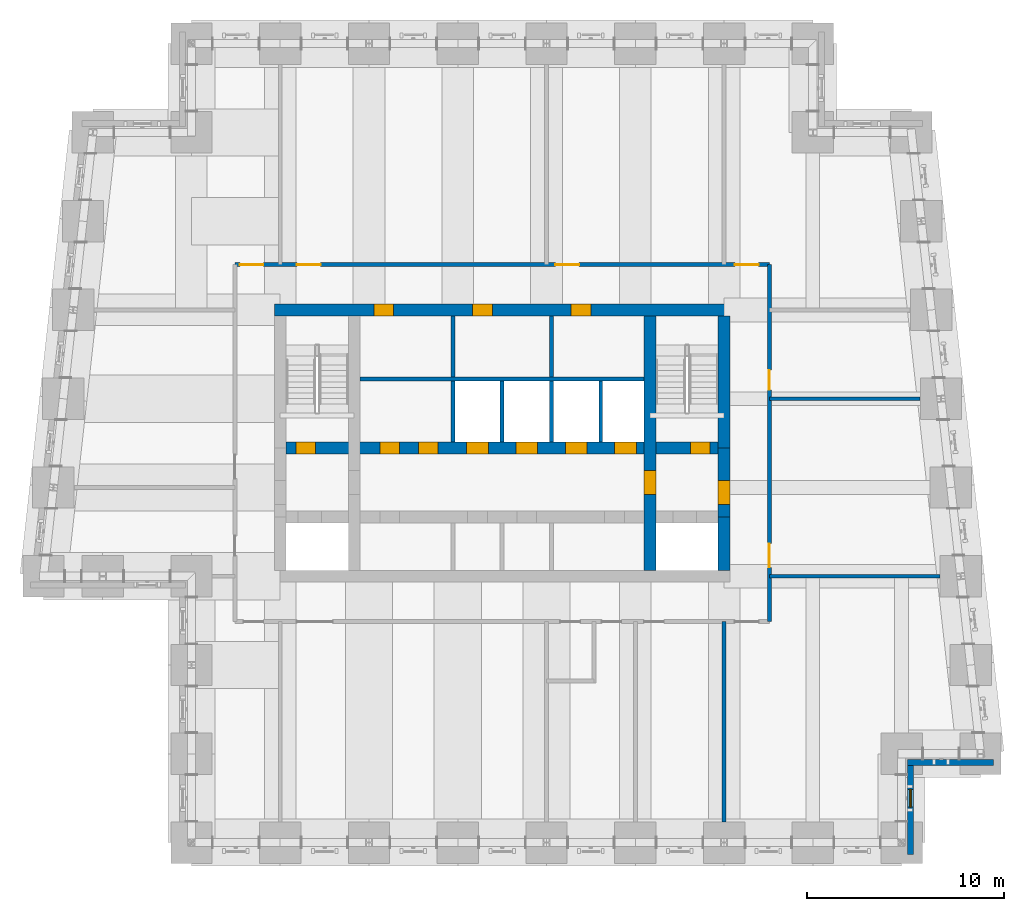
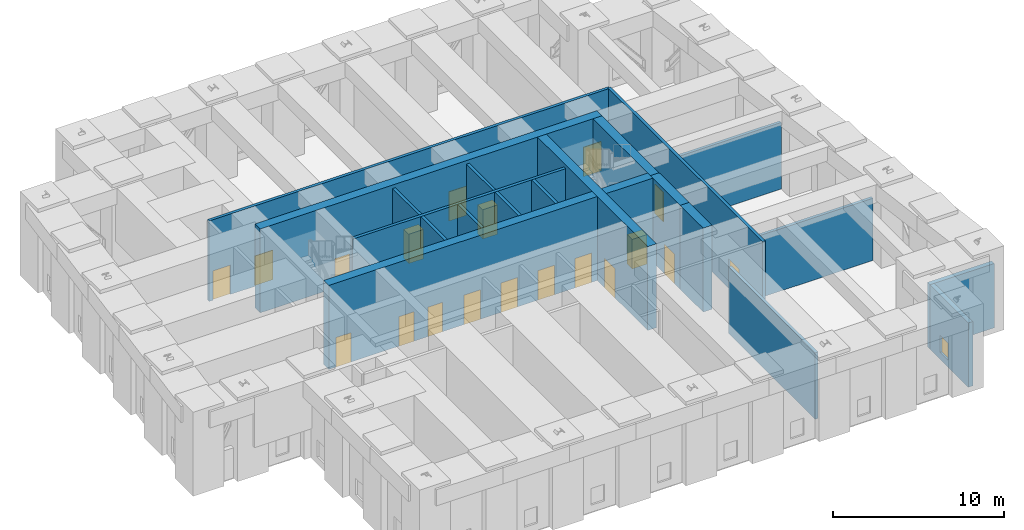
# One storey, part 4 of 17: 20 walls, 19 doors, 1 window, 20 openings.
"""IFC4 building model written with IfcOpenShell, lengths in metres."""

from ifc_helpers import new_model, si_unit, direction, frame, frame_2d, origin, place, context, subcontext, project, spatial, rectangle, extrude, material, layer, layer_set, type_object, element, fill, save


model = new_model("IFC4")

# Units and contexts
model_context = context("Model", 3, precision=1e-05, world=origin(), true_north=direction((0.0, 1.0)))
body_context = subcontext(model_context, "Body", "Model", "MODEL_VIEW")
ifc_project = project(units=[si_unit("LENGTHUNIT", "METRE"), si_unit("AREAUNIT", "SQUARE_METRE"), si_unit("VOLUMEUNIT", "CUBIC_METRE"), si_unit("PLANEANGLEUNIT", "RADIAN"), si_unit("MASSUNIT", "GRAM", prefix="KILO")], contexts=[model_context])

# Site, building, storey
site_placement = place(None, origin())
site = spatial("IfcSite", under=ifc_project, at=site_placement, CompositionType="ELEMENT")
building_placement = place(site_placement, origin())
building = spatial("IfcBuilding", under=site, at=building_placement, Name="Kilele Tower Hotel", CompositionType="ELEMENT")
storey_placement = place(building_placement, frame((0.0, 0.0, 211.39990234375)))
storey = spatial("IfcBuildingStorey", under=building, at=storey_placement, Name="L55", CompositionType="ELEMENT", Elevation=211.39990234375)

# Wall, openings, doors
ifc_material_1 = material(Name="Concrete C60/75", Category="concrete")
ifc_layer_1 = layer(ifc_material_1, 0.60009765625)
ifc_layer_set_1 = layer_set([ifc_layer_1], Name="Concrete C60/75")
wall_type_1 = type_object("IfcWallType", Name="Core wall 600 C60/75", PredefinedType="SHEAR", material=ifc_layer_set_1)
wall_1_placement = place(storey_placement, frame((36.300048828125, 27.0, 0.0), z_axis=(0.0, 0.0, 1.0), x_axis=(-1.0, 0.0, 0.0)))
wall_1 = element("IfcWall", 1, at=wall_1_placement, inside=storey, type_object=wall_type_1, Name="Core wall N L55", PredefinedType="SHEAR", context=body_context, shape_type="SweptSolid", body=[
    extrude(rectangle(XDim=23.10009765625, YDim=0.60009765625, at=frame_2d((11.550048828125, 0.0))), origin(), (0.0, 0.0, 1.0), 6.0),
])
opening_1_placement = place(wall_1_placement, frame((17.050048828125, 0.0, 0.0)))
opening_1 = element("IfcOpeningElement", 2, at=opening_1_placement, cuts=wall_1, Name="Opening D6", PredefinedType="OPENING", context=body_context, shape_type="SweptSolid", body=[
    extrude(rectangle(XDim=1.0, YDim=2.10009765625, at=frame_2d((0.5, 1.050048828125))), frame((0.0, 0.31005859375, 0.0), z_axis=(0.0, -1.0, 0.0), x_axis=(1.0, 0.0, 0.0)), (0.0, 0.0, 1.0), 0.6201171875),
])
opening_2_placement = place(wall_1_placement, frame((12.050048828125, 0.0, 0.0)))
opening_2 = element("IfcOpeningElement", 3, at=opening_2_placement, cuts=wall_1, Name="Opening D6", PredefinedType="OPENING", context=body_context, shape_type="SweptSolid", body=[
    extrude(rectangle(XDim=1.0, YDim=2.10009765625, at=frame_2d((0.5, 1.050048828125))), frame((0.0, 0.31005859375, 0.0), z_axis=(0.0, -1.0, 0.0), x_axis=(1.0, 0.0, 0.0)), (0.0, 0.0, 1.0), 0.6201171875),
])
opening_3_placement = place(wall_1_placement, frame((7.050048828125, 0.0, 0.0)))
opening_3 = element("IfcOpeningElement", 4, at=opening_3_placement, cuts=wall_1, Name="Opening D6", PredefinedType="OPENING", context=body_context, shape_type="SweptSolid", body=[
    extrude(rectangle(XDim=1.0, YDim=2.10009765625, at=frame_2d((0.5, 1.050048828125))), frame((0.0, 0.31005859375, 0.0), z_axis=(0.0, -1.0, 0.0), x_axis=(1.0, 0.0, 0.0)), (0.0, 0.0, 1.0), 0.6201171875),
])
ifc_material_2 = material(Name="Timber door leaf in hardwood frame", Category="wood")
door_type_1 = type_object("IfcDoorType", Name="Riser door 1000", OperationType="SINGLE_SWING_LEFT", PredefinedType="DOOR", material=ifc_material_2)
door_1_placement = place(opening_1_placement, origin())
door_1 = element("IfcDoor", 5, at=door_1_placement, inside=storey, type_object=door_type_1, Name="Service riser door L55", OperationType="SINGLE_SWING_RIGHT", OverallHeight=2.10009765625, OverallWidth=1.0, PredefinedType="DOOR", context=body_context, shape_type="SweptSolid", body=[
    extrude(rectangle(XDim=1.0, YDim=2.10009765625, at=frame_2d((0.5, 1.050048828125))), frame((0.0, 0.2998046875, 0.0), z_axis=(0.0, -1.0, 0.0), x_axis=(1.0, 0.0, 0.0)), (0.0, 0.0, 1.0), 0.599609375),
])
fill(opening_1, door_1)
door_2_placement = place(opening_2_placement, origin())
door_2 = element("IfcDoor", 6, at=door_2_placement, inside=storey, type_object=door_type_1, Name="Linen store door L55", OperationType="SINGLE_SWING_RIGHT", OverallHeight=2.10009765625, OverallWidth=1.0, PredefinedType="DOOR", context=body_context, shape_type="SweptSolid", body=[
    extrude(rectangle(XDim=1.0, YDim=2.10009765625, at=frame_2d((0.5, 1.050048828125))), frame((0.0, 0.2998046875, 0.0), z_axis=(0.0, -1.0, 0.0), x_axis=(1.0, 0.0, 0.0)), (0.0, 0.0, 1.0), 0.599609375),
])
fill(opening_2, door_2)
door_3_placement = place(opening_3_placement, origin())
door_3 = element("IfcDoor", 7, at=door_3_placement, inside=storey, type_object=door_type_1, Name="Electrical riser door L55", OperationType="SINGLE_SWING_RIGHT", OverallHeight=2.10009765625, OverallWidth=1.0, PredefinedType="DOOR", context=body_context, shape_type="SweptSolid", body=[
    extrude(rectangle(XDim=1.0, YDim=2.10009765625, at=frame_2d((0.5, 1.050048828125))), frame((0.0, 0.2998046875, 0.0), z_axis=(0.0, -1.0, 0.0), x_axis=(1.0, 0.0, 0.0)), (0.0, 0.0, 1.0), 0.599609375),
])
fill(opening_3, door_3)

# Wall, opening, door
wall_2_placement = place(storey_placement, frame((32.25, 13.800048828125, 0.0), z_axis=(0.0, 0.0, 1.0), x_axis=(0.0, 1.0, 0.0)))
wall_2 = element("IfcWall", 8, at=wall_2_placement, inside=storey, type_object=wall_type_1, Name="Core wall IE L55", PredefinedType="SHEAR", context=body_context, shape_type="SweptSolid", body=[
    extrude(rectangle(XDim=12.89990234375, YDim=0.60009765625, at=frame_2d((6.449951171875, 0.0))), origin(), (0.0, 0.0, 1.0), 6.0),
])
opening_4_placement = place(wall_2_placement, frame((5.050048828125, 0.0, 0.0), z_axis=(0.0, 0.0, 1.0), x_axis=(-1.0, 0.0, 0.0)))
opening_4 = element("IfcOpeningElement", 9, at=opening_4_placement, cuts=wall_2, Name="Opening D4", PredefinedType="OPENING", context=body_context, shape_type="SweptSolid", body=[
    extrude(rectangle(XDim=1.199951171875, YDim=2.10009765625, at=frame_2d((0.60009765625, 1.050048828125))), frame((0.0, 0.31005859375, 0.0), z_axis=(0.0, -1.0, 0.0), x_axis=(1.0, 0.0, 0.0)), (0.0, 0.0, 1.0), 0.6201171875),
])
ifc_material_3 = material(Name="Timber door leaf in hardwood frame", Category="wood")
door_type_2 = type_object("IfcDoorType", Name="Firefighting lobby door 1200", OperationType="SINGLE_SWING_LEFT", PredefinedType="DOOR", material=ifc_material_3)
door_4_placement = place(opening_4_placement, origin())
door_4 = element("IfcDoor", 10, at=door_4_placement, inside=storey, type_object=door_type_2, Name="Lobby door L55", OperationType="SINGLE_SWING_RIGHT", OverallHeight=2.10009765625, OverallWidth=1.199951171875, PredefinedType="DOOR", context=body_context, shape_type="SweptSolid", body=[
    extrude(rectangle(XDim=1.199951171875, YDim=2.10009765625, at=frame_2d((0.60009765625, 1.050048828125))), frame((0.0, 0.2998046875, 0.0), z_axis=(0.0, -1.0, 0.0), x_axis=(1.0, 0.0, 0.0)), (0.0, 0.0, 1.0), 0.599609375),
])
fill(opening_4, door_4)

# Wall, openings, doors
wall_3_placement = place(storey_placement, frame((13.800048828125, 20.0, 0.0), z_axis=(0.0, 0.0, 1.0), x_axis=(1.0, 0.0, 0.0)))
wall_3 = element("IfcWall", 11, at=wall_3_placement, inside=storey, type_object=wall_type_1, Name="Core wall LN L55", PredefinedType="SHEAR", context=body_context, shape_type="SweptSolid", body=[
    extrude(rectangle(XDim=21.89990234375, YDim=0.60009765625, at=frame_2d((10.949951171875, 0.0))), origin(), (0.0, 0.0, 1.0), 6.0),
])
opening_5_placement = place(wall_3_placement, frame((0.5, 0.0, 0.0)))
opening_5 = element("IfcOpeningElement", 12, at=opening_5_placement, cuts=wall_3, Name="Opening D5", PredefinedType="OPENING", context=body_context, shape_type="SweptSolid", body=[
    extrude(rectangle(XDim=1.0, YDim=2.10009765625, at=frame_2d((0.5, 1.050048828125))), frame((0.0, 0.31005859375, 0.0), z_axis=(0.0, -1.0, 0.0), x_axis=(1.0, 0.0, 0.0)), (0.0, 0.0, 1.0), 0.6201171875),
])
opening_6_placement = place(wall_3_placement, frame((20.5, 0.0, 0.0)))
opening_6 = element("IfcOpeningElement", 13, at=opening_6_placement, cuts=wall_3, Name="Opening D5", PredefinedType="OPENING", context=body_context, shape_type="SweptSolid", body=[
    extrude(rectangle(XDim=1.0, YDim=2.10009765625, at=frame_2d((0.5, 1.050048828125))), frame((0.0, 0.31005859375, 0.0), z_axis=(0.0, -1.0, 0.0), x_axis=(1.0, 0.0, 0.0)), (0.0, 0.0, 1.0), 0.6201171875),
])
opening_7_placement = place(wall_3_placement, frame((9.14990234375, 0.0, 0.0)))
opening_7 = element("IfcOpeningElement", 14, at=opening_7_placement, cuts=wall_3, Name="Opening LD1", PredefinedType="OPENING", context=body_context, shape_type="SweptSolid", body=[
    extrude(rectangle(XDim=1.10009765625, YDim=2.10009765625, at=frame_2d((0.550048828125, 1.050048828125))), frame((0.0, 0.31005859375, 0.0), z_axis=(0.0, -1.0, 0.0), x_axis=(1.0, 0.0, 0.0)), (0.0, 0.0, 1.0), 0.6201171875),
])
opening_8_placement = place(wall_3_placement, frame((11.64990234375, 0.0, 0.0)))
opening_8 = element("IfcOpeningElement", 15, at=opening_8_placement, cuts=wall_3, Name="Opening LD1", PredefinedType="OPENING", context=body_context, shape_type="SweptSolid", body=[
    extrude(rectangle(XDim=1.10009765625, YDim=2.10009765625, at=frame_2d((0.550048828125, 1.050048828125))), frame((0.0, 0.31005859375, 0.0), z_axis=(0.0, -1.0, 0.0), x_axis=(1.0, 0.0, 0.0)), (0.0, 0.0, 1.0), 0.6201171875),
])
opening_9_placement = place(wall_3_placement, frame((14.14990234375, 0.0, 0.0)))
opening_9 = element("IfcOpeningElement", 16, at=opening_9_placement, cuts=wall_3, Name="Opening LD1", PredefinedType="OPENING", context=body_context, shape_type="SweptSolid", body=[
    extrude(rectangle(XDim=1.10009765625, YDim=2.10009765625, at=frame_2d((0.550048828125, 1.050048828125))), frame((0.0, 0.31005859375, 0.0), z_axis=(0.0, -1.0, 0.0), x_axis=(1.0, 0.0, 0.0)), (0.0, 0.0, 1.0), 0.6201171875),
])
opening_10_placement = place(wall_3_placement, frame((16.64990234375, 0.0, 0.0)))
opening_10 = element("IfcOpeningElement", 17, at=opening_10_placement, cuts=wall_3, Name="Opening LD1", PredefinedType="OPENING", context=body_context, shape_type="SweptSolid", body=[
    extrude(rectangle(XDim=1.10009765625, YDim=2.10009765625, at=frame_2d((0.550048828125, 1.050048828125))), frame((0.0, 0.31005859375, 0.0), z_axis=(0.0, -1.0, 0.0), x_axis=(1.0, 0.0, 0.0)), (0.0, 0.0, 1.0), 0.6201171875),
])
opening_11_placement = place(wall_3_placement, frame((4.75, 0.0, 0.0)))
opening_11 = element("IfcOpeningElement", 18, at=opening_11_placement, cuts=wall_3, Name="Opening D11", PredefinedType="OPENING", context=body_context, shape_type="SweptSolid", body=[
    extrude(rectangle(XDim=1.0, YDim=2.10009765625, at=frame_2d((0.5, 1.050048828125))), frame((0.0, 0.31005859375, 0.0), z_axis=(0.0, -1.0, 0.0), x_axis=(1.0, 0.0, 0.0)), (0.0, 0.0, 1.0), 0.6201171875),
])
opening_12_placement = place(wall_3_placement, frame((6.699951171875, 0.0, 0.0)))
opening_12 = element("IfcOpeningElement", 19, at=opening_12_placement, cuts=wall_3, Name="Opening D11", PredefinedType="OPENING", context=body_context, shape_type="SweptSolid", body=[
    extrude(rectangle(XDim=1.0, YDim=2.10009765625, at=frame_2d((0.5, 1.050048828125))), frame((0.0, 0.31005859375, 0.0), z_axis=(0.0, -1.0, 0.0), x_axis=(1.0, 0.0, 0.0)), (0.0, 0.0, 1.0), 0.6201171875),
])
ifc_material_4 = material(Name="Timber door leaf in hardwood frame", Category="wood")
door_type_3 = type_object("IfcDoorType", Name="Core store door 1000", OperationType="SINGLE_SWING_LEFT", PredefinedType="DOOR", material=ifc_material_4)
door_5_placement = place(opening_11_placement, origin())
door_5 = element("IfcDoor", 20, at=door_5_placement, inside=storey, type_object=door_type_3, Name="Core room door S1 L55", OperationType="SINGLE_SWING_LEFT", OverallHeight=2.10009765625, OverallWidth=1.0, PredefinedType="DOOR", context=body_context, shape_type="SweptSolid", body=[
    extrude(rectangle(XDim=1.0, YDim=2.10009765625, at=frame_2d((0.5, 1.050048828125))), frame((0.0, 0.2998046875, 0.0), z_axis=(0.0, -1.0, 0.0), x_axis=(1.0, 0.0, 0.0)), (0.0, 0.0, 1.0), 0.599609375),
])
fill(opening_11, door_5)
door_6_placement = place(opening_12_placement, origin())
door_6 = element("IfcDoor", 21, at=door_6_placement, inside=storey, type_object=door_type_3, Name="Core room door S2 L55", OperationType="SINGLE_SWING_RIGHT", OverallHeight=2.10009765625, OverallWidth=1.0, PredefinedType="DOOR", context=body_context, shape_type="SweptSolid", body=[
    extrude(rectangle(XDim=1.0, YDim=2.10009765625, at=frame_2d((0.5, 1.050048828125))), frame((0.0, 0.2998046875, 0.0), z_axis=(0.0, -1.0, 0.0), x_axis=(1.0, 0.0, 0.0)), (0.0, 0.0, 1.0), 0.599609375),
])
fill(opening_12, door_6)
ifc_material_5 = material(Name="Steel lift landing door", Category="steel")
door_type_4 = type_object("IfcDoorType", Name="Lift landing door 1100", OperationType="SLIDING_TO_LEFT", PredefinedType="DOOR", material=ifc_material_5)
door_7_placement = place(opening_7_placement, origin())
door_7 = element("IfcDoor", 22, at=door_7_placement, inside=storey, type_object=door_type_4, Name="Landing door H1 L55", OperationType="SLIDING_TO_LEFT", OverallHeight=2.10009765625, OverallWidth=1.10009765625, PredefinedType="DOOR", context=body_context, shape_type="SweptSolid", body=[
    extrude(rectangle(XDim=1.10009765625, YDim=2.10009765625, at=frame_2d((0.550048828125, 1.050048828125))), frame((0.0, 0.2998046875, 0.0), z_axis=(0.0, -1.0, 0.0), x_axis=(1.0, 0.0, 0.0)), (0.0, 0.0, 1.0), 0.599609375),
])
fill(opening_7, door_7)
door_8_placement = place(opening_8_placement, origin())
door_8 = element("IfcDoor", 23, at=door_8_placement, inside=storey, type_object=door_type_4, Name="Landing door H2 L55", OperationType="SLIDING_TO_LEFT", OverallHeight=2.10009765625, OverallWidth=1.10009765625, PredefinedType="DOOR", context=body_context, shape_type="SweptSolid", body=[
    extrude(rectangle(XDim=1.10009765625, YDim=2.10009765625, at=frame_2d((0.550048828125, 1.050048828125))), frame((0.0, 0.2998046875, 0.0), z_axis=(0.0, -1.0, 0.0), x_axis=(1.0, 0.0, 0.0)), (0.0, 0.0, 1.0), 0.599609375),
])
fill(opening_8, door_8)
door_9_placement = place(opening_9_placement, origin())
door_9 = element("IfcDoor", 24, at=door_9_placement, inside=storey, type_object=door_type_4, Name="Landing door H3 L55", OperationType="SLIDING_TO_LEFT", OverallHeight=2.10009765625, OverallWidth=1.10009765625, PredefinedType="DOOR", context=body_context, shape_type="SweptSolid", body=[
    extrude(rectangle(XDim=1.10009765625, YDim=2.10009765625, at=frame_2d((0.550048828125, 1.050048828125))), frame((0.0, 0.2998046875, 0.0), z_axis=(0.0, -1.0, 0.0), x_axis=(1.0, 0.0, 0.0)), (0.0, 0.0, 1.0), 0.599609375),
])
fill(opening_9, door_9)
door_10_placement = place(opening_10_placement, origin())
door_10 = element("IfcDoor", 25, at=door_10_placement, inside=storey, type_object=door_type_4, Name="Landing door G1 L55", OperationType="SLIDING_TO_LEFT", OverallHeight=2.10009765625, OverallWidth=1.10009765625, PredefinedType="DOOR", context=body_context, shape_type="SweptSolid", body=[
    extrude(rectangle(XDim=1.10009765625, YDim=2.10009765625, at=frame_2d((0.550048828125, 1.050048828125))), frame((0.0, 0.2998046875, 0.0), z_axis=(0.0, -1.0, 0.0), x_axis=(1.0, 0.0, 0.0)), (0.0, 0.0, 1.0), 0.599609375),
])
fill(opening_10, door_10)
ifc_material_6 = material(Name="Timber door leaf in hardwood frame", Category="wood")
door_type_5 = type_object("IfcDoorType", Name="Stair door 1000", OperationType="SINGLE_SWING_LEFT", PredefinedType="DOOR", material=ifc_material_6)
door_11_placement = place(opening_5_placement, origin())
door_11 = element("IfcDoor", 26, at=door_11_placement, inside=storey, type_object=door_type_5, Name="Stair 1 door L55", OperationType="SINGLE_SWING_LEFT", OverallHeight=2.10009765625, OverallWidth=1.0, PredefinedType="DOOR", context=body_context, shape_type="SweptSolid", body=[
    extrude(rectangle(XDim=1.0, YDim=2.10009765625, at=frame_2d((0.5, 1.050048828125))), frame((0.0, 0.2998046875, 0.0), z_axis=(0.0, -1.0, 0.0), x_axis=(1.0, 0.0, 0.0)), (0.0, 0.0, 1.0), 0.599609375),
])
fill(opening_5, door_11)
door_12_placement = place(opening_6_placement, origin())
door_12 = element("IfcDoor", 27, at=door_12_placement, inside=storey, type_object=door_type_5, Name="Stair 2 door L55", OperationType="SINGLE_SWING_RIGHT", OverallHeight=2.10009765625, OverallWidth=1.0, PredefinedType="DOOR", context=body_context, shape_type="SweptSolid", body=[
    extrude(rectangle(XDim=1.0, YDim=2.10009765625, at=frame_2d((0.5, 1.050048828125))), frame((0.0, 0.2998046875, 0.0), z_axis=(0.0, -1.0, 0.0), x_axis=(1.0, 0.0, 0.0)), (0.0, 0.0, 1.0), 0.599609375),
])
fill(opening_6, door_12)

# Wall
wall_4_placement = place(storey_placement, frame((36.0, 13.800048828125, 0.0), z_axis=(0.0, 0.0, 1.0), x_axis=(0.0, 1.0, 0.0)))
element("IfcWall", 28, at=wall_4_placement, inside=storey, type_object=wall_type_1, Name="Core wall E1 L55", PredefinedType="SHEAR", context=body_context, shape_type="SweptSolid", body=[
    extrude(rectangle(XDim=2.699951171875, YDim=0.60009765625, at=frame_2d((1.35009765625, 0.0))), origin(), (0.0, 0.0, 1.0), 6.0),
])

# Wall, opening, door
wall_5_placement = place(storey_placement, frame((36.0, 16.5, 0.0), z_axis=(0.0, 0.0, 1.0), x_axis=(0.0, 1.0, 0.0)))
wall_5 = element("IfcWall", 29, at=wall_5_placement, inside=storey, type_object=wall_type_1, Name="Core wall E2 L55", PredefinedType="SHEAR", context=body_context, shape_type="SweptSolid", body=[
    extrude(rectangle(XDim=3.5, YDim=0.60009765625, at=frame_2d((1.75, 0.0))), origin(), (0.0, 0.0, 1.0), 6.0),
])
opening_13_placement = place(wall_5_placement, frame((0.64990234375, 0.0, 0.0)))
opening_13 = element("IfcOpeningElement", 30, at=opening_13_placement, cuts=wall_5, Name="Opening D4", PredefinedType="OPENING", context=body_context, shape_type="SweptSolid", body=[
    extrude(rectangle(XDim=1.199951171875, YDim=2.10009765625, at=frame_2d((0.60009765625, 1.050048828125))), frame((0.0, 0.31005859375, 0.0), z_axis=(0.0, -1.0, 0.0), x_axis=(1.0, 0.0, 0.0)), (0.0, 0.0, 1.0), 0.6201171875),
])
door_13_placement = place(opening_13_placement, origin())
door_13 = element("IfcDoor", 31, at=door_13_placement, inside=storey, type_object=door_type_2, Name="Lobby door L55", OperationType="SINGLE_SWING_LEFT", OverallHeight=2.10009765625, OverallWidth=1.199951171875, PredefinedType="DOOR", context=body_context, shape_type="SweptSolid", body=[
    extrude(rectangle(XDim=1.199951171875, YDim=2.10009765625, at=frame_2d((0.60009765625, 1.050048828125))), frame((0.0, 0.2998046875, 0.0), z_axis=(0.0, -1.0, 0.0), x_axis=(1.0, 0.0, 0.0)), (0.0, 0.0, 1.0), 0.599609375),
])
fill(opening_13, door_13)

# Wall
wall_6_placement = place(storey_placement, frame((36.0, 20.0, 0.0), z_axis=(0.0, 0.0, 1.0), x_axis=(0.0, 1.0, 0.0)))
element("IfcWall", 32, at=wall_6_placement, inside=storey, type_object=wall_type_1, Name="Core wall E3 L55", PredefinedType="SHEAR", context=body_context, shape_type="SweptSolid", body=[
    extrude(rectangle(XDim=6.699951171875, YDim=0.60009765625, at=frame_2d((3.35009765625, 0.0))), origin(), (0.0, 0.0, 1.0), 6.0),
])

# Wall, openings, doors
ifc_material_7 = material(Name="Blockwork, plastered both sides", Category="masonry")
ifc_layer_2 = layer(ifc_material_7, 0.199951171875)
ifc_layer_set_2 = layer_set([ifc_layer_2], Name="Blockwork, plastered both sides")
wall_type_2 = type_object("IfcWallType", Name="Corridor wall 200", PredefinedType="PARTITIONING", material=ifc_layer_set_2)
wall_7_placement = place(storey_placement, frame((38.300048828125, 11.199951171875, 0.0), z_axis=(0.0, 0.0, 1.0), x_axis=(0.0, 1.0, 0.0)))
wall_7 = element("IfcWall", 33, at=wall_7_placement, inside=storey, type_object=wall_type_2, Name="Corridor wall 200 L55", PredefinedType="PARTITIONING", context=body_context, shape_type="SweptSolid", body=[
    extrude(rectangle(XDim=18.10009765625, YDim=0.199951171875, at=frame_2d((9.050048828125, 0.0))), origin(), (0.0, 0.0, 1.0), 5.75),
])
opening_14_placement = place(wall_7_placement, frame((3.949951171875, 0.0, 0.0), z_axis=(0.0, 0.0, 1.0), x_axis=(-1.0, 0.0, 0.0)))
opening_14 = element("IfcOpeningElement", 34, at=opening_14_placement, cuts=wall_7, Name="Opening D7A", PredefinedType="OPENING", context=body_context, shape_type="SweptSolid", body=[
    extrude(rectangle(XDim=1.199951171875, YDim=2.10009765625, at=frame_2d((0.60009765625, 1.050048828125))), frame((0.0, 0.10986328125, 0.0), z_axis=(0.0, -1.0, 0.0), x_axis=(1.0, 0.0, 0.0)), (0.0, 0.0, 1.0), 0.219970703125),
])
opening_15_placement = place(wall_7_placement, frame((12.75, 0.0, 0.0), z_axis=(0.0, 0.0, 1.0), x_axis=(-1.0, 0.0, 0.0)))
opening_15 = element("IfcOpeningElement", 35, at=opening_15_placement, cuts=wall_7, Name="Opening D7", PredefinedType="OPENING", context=body_context, shape_type="SweptSolid", body=[
    extrude(rectangle(XDim=1.0, YDim=2.10009765625, at=frame_2d((0.5, 1.050048828125))), frame((0.0, 0.10986328125, 0.0), z_axis=(0.0, -1.0, 0.0), x_axis=(1.0, 0.0, 0.0)), (0.0, 0.0, 1.0), 0.219970703125),
])
ifc_material_8 = material(Name="Timber door leaf in hardwood frame", Category="wood")
door_type_6 = type_object("IfcDoorType", Name="Plant room door 1000", OperationType="SINGLE_SWING_LEFT", PredefinedType="DOOR", material=ifc_material_8)
door_14_placement = place(opening_15_placement, origin())
door_14 = element("IfcDoor", 36, at=door_14_placement, inside=storey, type_object=door_type_6, Name="Door High-zone chilled water pump room 5506", OperationType="SINGLE_SWING_RIGHT", OverallHeight=2.10009765625, OverallWidth=1.0, PredefinedType="DOOR", context=body_context, shape_type="SweptSolid", body=[
    extrude(rectangle(XDim=1.0, YDim=2.10009765625, at=frame_2d((0.5, 1.050048828125))), frame((0.0, 0.02490234375, 0.0), z_axis=(0.0, -1.0, 0.0), x_axis=(1.0, 0.0, 0.0)), (0.0, 0.0, 1.0), 0.050048828125),
])
fill(opening_15, door_14)
ifc_material_9 = material(Name="Timber door leaf in hardwood frame", Category="wood")
door_type_7 = type_object("IfcDoorType", Name="Plant room door 1200", OperationType="SINGLE_SWING_LEFT", PredefinedType="DOOR", material=ifc_material_9)
door_15_placement = place(opening_14_placement, origin())
door_15 = element("IfcDoor", 37, at=door_15_placement, inside=storey, type_object=door_type_7, Name="Door High-zone air handling plant room 5505", OperationType="SINGLE_SWING_RIGHT", OverallHeight=2.10009765625, OverallWidth=1.199951171875, PredefinedType="DOOR", context=body_context, shape_type="SweptSolid", body=[
    extrude(rectangle(XDim=1.199951171875, YDim=2.10009765625, at=frame_2d((0.60009765625, 1.050048828125))), frame((0.0, 0.02490234375, 0.0), z_axis=(0.0, -1.0, 0.0), x_axis=(1.0, 0.0, 0.0)), (0.0, 0.0, 1.0), 0.050048828125),
])
fill(opening_14, door_15)

wall_8_placement = place(storey_placement, frame((11.199951171875, 29.300048828125, 0.0), z_axis=(0.0, 0.0, 1.0), x_axis=(1.0, 0.0, 0.0)))
wall_8 = element("IfcWall", 38, at=wall_8_placement, inside=storey, type_object=wall_type_2, Name="Corridor wall 200 L55", PredefinedType="PARTITIONING", context=body_context, shape_type="SweptSolid", body=[
    extrude(rectangle(XDim=27.10009765625, YDim=0.199951171875, at=frame_2d((13.550048828125, 0.0))), origin(), (0.0, 0.0, 1.0), 5.75),
])
opening_16_placement = place(wall_8_placement, frame((3.14990234375, 0.0, 0.0)))
opening_16 = element("IfcOpeningElement", 39, at=opening_16_placement, cuts=wall_8, Name="Opening D7A", PredefinedType="OPENING", context=body_context, shape_type="SweptSolid", body=[
    extrude(rectangle(XDim=1.199951171875, YDim=2.10009765625, at=frame_2d((0.60009765625, 1.050048828125))), frame((0.0, 0.10986328125, 0.0), z_axis=(0.0, -1.0, 0.0), x_axis=(1.0, 0.0, 0.0)), (0.0, 0.0, 1.0), 0.219970703125),
])
opening_17_placement = place(wall_8_placement, frame((16.25, 0.0, 0.0)))
opening_17 = element("IfcOpeningElement", 40, at=opening_17_placement, cuts=wall_8, Name="Opening D7A", PredefinedType="OPENING", context=body_context, shape_type="SweptSolid", body=[
    extrude(rectangle(XDim=1.199951171875, YDim=2.10009765625, at=frame_2d((0.60009765625, 1.050048828125))), frame((0.0, 0.10986328125, 0.0), z_axis=(0.0, -1.0, 0.0), x_axis=(1.0, 0.0, 0.0)), (0.0, 0.0, 1.0), 0.219970703125),
])
opening_18_placement = place(wall_8_placement, frame((0.25, 0.0, 0.0)))
opening_18 = element("IfcOpeningElement", 41, at=opening_18_placement, cuts=wall_8, Name="Opening D7A", PredefinedType="OPENING", context=body_context, shape_type="SweptSolid", body=[
    extrude(rectangle(XDim=1.199951171875, YDim=2.10009765625, at=frame_2d((0.60009765625, 1.050048828125))), frame((0.0, 0.10986328125, 0.0), z_axis=(0.0, -1.0, 0.0), x_axis=(1.0, 0.0, 0.0)), (0.0, 0.0, 1.0), 0.219970703125),
])
opening_19_placement = place(wall_8_placement, frame((25.35009765625, 0.0, 0.0)))
opening_19 = element("IfcOpeningElement", 42, at=opening_19_placement, cuts=wall_8, Name="Opening D7A", PredefinedType="OPENING", context=body_context, shape_type="SweptSolid", body=[
    extrude(rectangle(XDim=1.199951171875, YDim=2.10009765625, at=frame_2d((0.60009765625, 1.050048828125))), frame((0.0, 0.10986328125, 0.0), z_axis=(0.0, -1.0, 0.0), x_axis=(1.0, 0.0, 0.0)), (0.0, 0.0, 1.0), 0.219970703125),
])
door_16_placement = place(opening_16_placement, origin())
door_16 = element("IfcDoor", 43, at=door_16_placement, inside=storey, type_object=door_type_7, Name="Door High-zone chilled water heat exchanger room 5507", OperationType="SINGLE_SWING_LEFT", OverallHeight=2.10009765625, OverallWidth=1.199951171875, PredefinedType="DOOR", context=body_context, shape_type="SweptSolid", body=[
    extrude(rectangle(XDim=1.199951171875, YDim=2.10009765625, at=frame_2d((0.60009765625, 1.050048828125))), frame((0.0, 0.02490234375, 0.0), z_axis=(0.0, -1.0, 0.0), x_axis=(1.0, 0.0, 0.0)), (0.0, 0.0, 1.0), 0.050048828125),
])
fill(opening_16, door_16)
door_17_placement = place(opening_17_placement, origin())
door_17 = element("IfcDoor", 44, at=door_17_placement, inside=storey, type_object=door_type_7, Name="Door High-zone water booster pump room 5508", OperationType="SINGLE_SWING_LEFT", OverallHeight=2.10009765625, OverallWidth=1.199951171875, PredefinedType="DOOR", context=body_context, shape_type="SweptSolid", body=[
    extrude(rectangle(XDim=1.199951171875, YDim=2.10009765625, at=frame_2d((0.60009765625, 1.050048828125))), frame((0.0, 0.02490234375, 0.0), z_axis=(0.0, -1.0, 0.0), x_axis=(1.0, 0.0, 0.0)), (0.0, 0.0, 1.0), 0.050048828125),
])
fill(opening_17, door_17)
door_18_placement = place(opening_18_placement, origin())
door_18 = element("IfcDoor", 45, at=door_18_placement, inside=storey, type_object=door_type_7, Name="Door High-zone transformer room 5513", OperationType="SINGLE_SWING_RIGHT", OverallHeight=2.10009765625, OverallWidth=1.199951171875, PredefinedType="DOOR", context=body_context, shape_type="SweptSolid", body=[
    extrude(rectangle(XDim=1.199951171875, YDim=2.10009765625, at=frame_2d((0.60009765625, 1.050048828125))), frame((0.0, 0.02490234375, 0.0), z_axis=(0.0, -1.0, 0.0), x_axis=(1.0, 0.0, 0.0)), (0.0, 0.0, 1.0), 0.050048828125),
])
fill(opening_18, door_18)
door_19_placement = place(opening_19_placement, origin())
door_19 = element("IfcDoor", 46, at=door_19_placement, inside=storey, type_object=door_type_7, Name="Door High-zone hot water calorifier room 5514", OperationType="SINGLE_SWING_LEFT", OverallHeight=2.10009765625, OverallWidth=1.199951171875, PredefinedType="DOOR", context=body_context, shape_type="SweptSolid", body=[
    extrude(rectangle(XDim=1.199951171875, YDim=2.10009765625, at=frame_2d((0.60009765625, 1.050048828125))), frame((0.0, 0.02490234375, 0.0), z_axis=(0.0, -1.0, 0.0), x_axis=(1.0, 0.0, 0.0)), (0.0, 0.0, 1.0), 0.050048828125),
])
fill(opening_19, door_19)

# Walls
ifc_material_10 = material(Name="Blockwork, plastered both sides", Category="masonry")
ifc_layer_3 = layer(ifc_material_10, 0.199951171875)
ifc_layer_set_3 = layer_set([ifc_layer_3], Name="Blockwork, plastered both sides")
wall_type_3 = type_object("IfcWallType", Name="Partition wall 200", PredefinedType="PARTITIONING", material=ifc_layer_set_3)
wall_9_placement = place(storey_placement, frame((36.0, 11.199951171875, 0.0), z_axis=(0.0, 0.0, 1.0), x_axis=(0.0, -1.0, 0.0)))
element("IfcWall", 47, at=wall_9_placement, inside=storey, type_object=wall_type_3, Name="Partition wall 200 L55", PredefinedType="PARTITIONING", context=body_context, shape_type="SweptSolid", body=[
    extrude(rectangle(XDim=10.14990234375, YDim=0.199951171875, at=frame_2d((5.074951171875, 0.0))), origin(), (0.0, 0.0, 1.0), 4.75),
])
wall_10_placement = place(storey_placement, frame((38.300048828125, 13.5, 0.0), z_axis=(0.0, 0.0, 1.0), x_axis=(1.0, 0.0, 0.0)))
element("IfcWall", 48, at=wall_10_placement, inside=storey, type_object=wall_type_3, Name="Partition wall 200 L55", PredefinedType="PARTITIONING", context=body_context, shape_type="SweptSolid", body=[
    extrude(rectangle(XDim=8.63916015625, YDim=0.199951171875, at=frame_2d((4.319580078125, 0.0))), origin(), (0.0, 0.0, 1.0), 4.4501953125),
])
wall_11_placement = place(storey_placement, frame((38.300048828125, 22.5, 0.0), z_axis=(0.0, 0.0, 1.0), x_axis=(1.0, 0.0, 0.0)))
element("IfcWall", 49, at=wall_11_placement, inside=storey, type_object=wall_type_3, Name="Partition wall 200 L55", PredefinedType="PARTITIONING", context=body_context, shape_type="SweptSolid", body=[
    extrude(rectangle(XDim=7.63916015625, YDim=0.199951171875, at=frame_2d((3.819580078125, 0.0))), origin(), (0.0, 0.0, 1.0), 4.75),
])

# Wall, opening, window
ifc_material_11 = material(Name="Concrete C40/50 precast", Category="concrete")
ifc_layer_4 = layer(ifc_material_11, 0.260009765625, Name="Precast backing", Category="LoadBearing")
ifc_material_12 = material(Name="Reconstituted stone finish", Category="masonry")
ifc_layer_5 = layer(ifc_material_12, 0.0400390625, Name="Face mix", Category="Finish")
ifc_layer_set_4 = layer_set([ifc_layer_4, ifc_layer_5], Name="Precast concrete C40/50, reconstituted stone finish")
wall_type_4 = type_object("IfcWallType", Name="Precast stone facade wall 300", PredefinedType="STANDARD", material=ifc_layer_set_4)
wall_12_placement = place(storey_placement, frame((45.449951171875, -0.60009765625, 0.0), z_axis=(0.0, 0.0, 1.0), x_axis=(0.0, 1.0, 0.0)))
wall_12 = element("IfcWall", 50, at=wall_12_placement, inside=storey, type_object=wall_type_4, Name="Facade wall L55 edge 4", PredefinedType="STANDARD", context=body_context, shape_type="SweptSolid", body=[
    extrude(rectangle(XDim=4.800048828125, YDim=0.300048828125, at=frame_2d((2.39990234375, 0.0))), origin(), (0.0, 0.0, 1.0), 4.60009765625),
])
opening_20_placement = place(wall_12_placement, frame((2.39990234375, 0.0, 0.5)))
opening_20 = element("IfcOpeningElement", 51, at=opening_20_placement, cuts=wall_12, Name="Opening LV1", PredefinedType="OPENING", context=body_context, shape_type="SweptSolid", body=[
    extrude(rectangle(XDim=0.89990234375, YDim=1.199951171875, at=frame_2d((0.449951171875, 0.60009765625))), frame((0.0, 0.159912109375, 0.0), z_axis=(0.0, -1.0, 0.0), x_axis=(1.0, 0.0, 0.0)), (0.0, 0.0, 1.0), 0.320068359375),
])
ifc_material_13 = material(Name="Aluminium weather louvre with insect mesh", Category="aluminium")
window_type = type_object("IfcWindowType", Name="Ventilation louvre 900 x 1200", PartitioningType="SINGLE_PANEL", PredefinedType="USERDEFINED", material=ifc_material_13)
window_placement = place(opening_20_placement, origin())
window = element("IfcWindow", 52, at=window_placement, inside=storey, type_object=window_type, Name="Louvre L55", ObjectType="LOUVRE", OverallHeight=1.199951171875, OverallWidth=0.89990234375, PartitioningType="SINGLE_PANEL", PredefinedType="USERDEFINED", context=body_context, shape_type="SweptSolid", body=[
    extrude(rectangle(XDim=0.89990234375, YDim=1.199951171875, at=frame_2d((0.449951171875, 0.60009765625))), frame((0.0, 0.030029296875, 0.0), z_axis=(0.0, -1.0, 0.0), x_axis=(1.0, 0.0, 0.0)), (0.0, 0.0, 1.0), 0.06005859375),
])
fill(opening_20, window)

# Walls
wall_13_placement = place(storey_placement, frame((45.300048828125, 4.050048828125, 0.0), z_axis=(0.0, 0.0, 1.0), x_axis=(1.0, 0.0, 0.0)))
element("IfcWall", 53, at=wall_13_placement, inside=storey, type_object=wall_type_4, Name="Facade wall L55 edge 5", PredefinedType="STANDARD", context=body_context, shape_type="SweptSolid", body=[
    extrude(rectangle(XDim=4.352783203125, YDim=0.300048828125, at=frame_2d((2.17626953125, 0.0))), origin(), (0.0, 0.0, 1.0), 4.60009765625),
])
ifc_material_14 = material(Name="Blockwork, fire-rated", Category="masonry")
ifc_layer_6 = layer(ifc_material_14, 0.199951171875)
ifc_layer_set_5 = layer_set([ifc_layer_6], Name="Blockwork, fire-rated")
wall_type_5 = type_object("IfcWallType", Name="Shaft wall 200", PredefinedType="PARTITIONING", material=ifc_layer_set_5)
for number, where, z_axis, x_axis, name in (
    (54, (22.25, 20.300048828125, 0.0), (0.0, 0.0, 1.0), (0.0, 1.0, 0.0), "Shaft wall 200 L55"),
    (55, (24.75, 20.300048828125, 0.0), (0.0, 0.0, 1.0), (0.0, 1.0, 0.0), "Shaft wall 200 L55"),
    (56, (27.25, 20.300048828125, 0.0), (0.0, 0.0, 1.0), (0.0, 1.0, 0.0), "Shaft wall 200 L55"),
    (57, (29.75, 20.300048828125, 0.0), (0.0, 0.0, 1.0), (0.0, 1.0, 0.0), "Shaft wall 200 L55"),
):
    element("IfcWall", number, at=place(storey_placement, frame(where, z_axis=z_axis, x_axis=x_axis)), inside=storey, type_object=wall_type_5, Name=name, PredefinedType="PARTITIONING", context=body_context, shape_type="SweptSolid", body=[
        extrude(rectangle(XDim=3.099853515625, YDim=0.199951171875, at=frame_2d((1.5498046875, 0.0))), origin(), (0.0, 0.0, 1.0), 5.75),
    ])
wall_14_placement = place(storey_placement, frame((17.550048828125, 23.5, 0.0), z_axis=(0.0, 0.0, 1.0), x_axis=(1.0, 0.0, 0.0)))
element("IfcWall", 58, at=wall_14_placement, inside=storey, type_object=wall_type_5, Name="Shaft wall 200 L55", PredefinedType="PARTITIONING", context=body_context, shape_type="SweptSolid", body=[
    extrude(rectangle(XDim=14.39990234375, YDim=0.199951171875, at=frame_2d((7.199951171875, 0.0))), origin(), (0.0, 0.0, 1.0), 5.75),
])
for number, where, z_axis, x_axis, name in (
    (59, (22.25, 23.60009765625, 0.0), (0.0, 0.0, 1.0), (0.0, 1.0, 0.0), "Shaft wall 200 L55"),
    (60, (27.25, 23.60009765625, 0.0), (0.0, 0.0, 1.0), (0.0, 1.0, 0.0), "Shaft wall 200 L55"),
):
    element("IfcWall", number, at=place(storey_placement, frame(where, z_axis=z_axis, x_axis=x_axis)), inside=storey, type_object=wall_type_5, Name=name, PredefinedType="PARTITIONING", context=body_context, shape_type="SweptSolid", body=[
        extrude(rectangle(XDim=3.099853515625, YDim=0.199951171875, at=frame_2d((1.5498046875, 0.0))), origin(), (0.0, 0.0, 1.0), 5.75),
    ])

save(model, "model.ifc")
